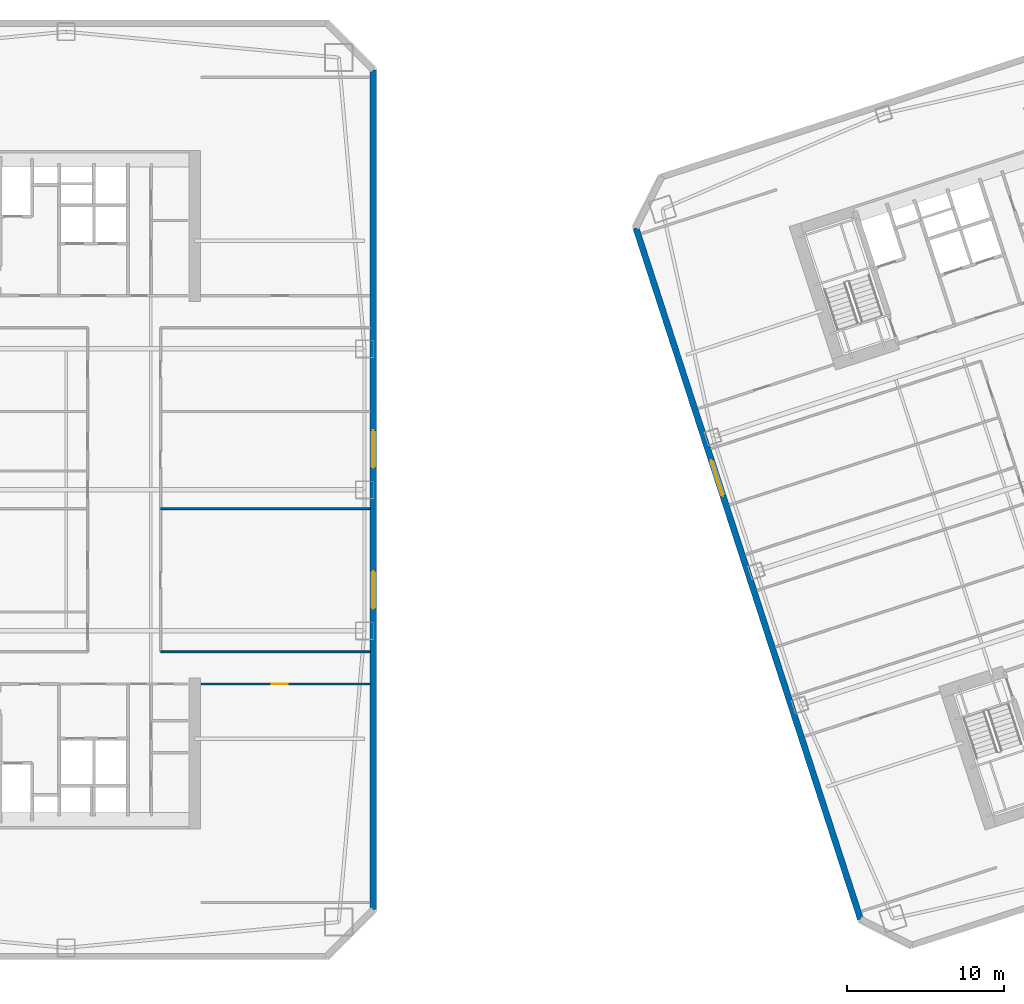
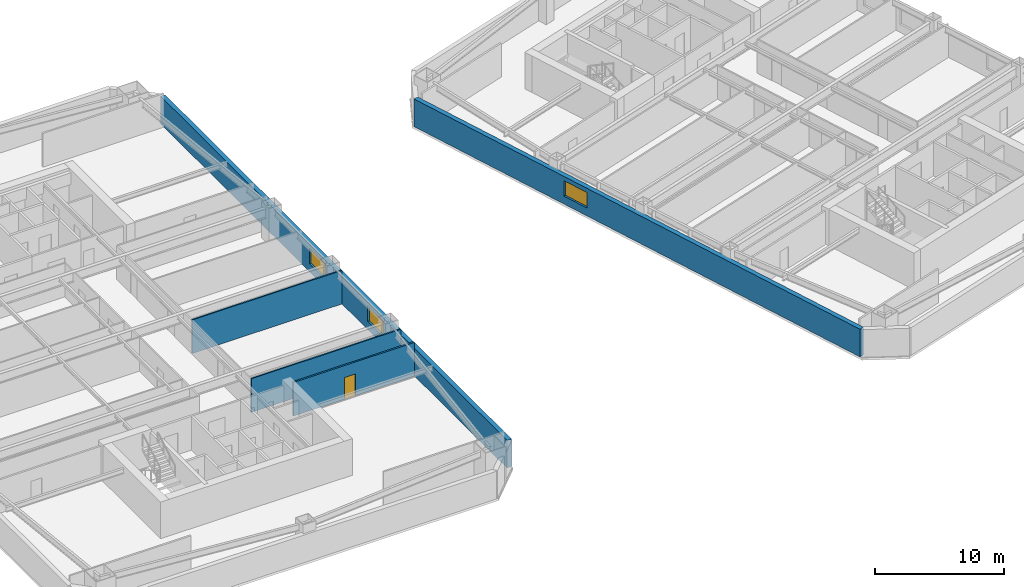
# One storey, part 6 of 13: 5 walls, 3 windows, 1 door, 4 openings.
"""IFC4 building model written with IfcOpenShell, lengths in metres."""

from ifc_helpers import new_model, si_unit, direction, frame, frame_2d, origin, place, context, subcontext, project, spatial, rectangle, extrude, material, layer, layer_set, type_object, element, fill, save


model = new_model("IFC4")

# Units and contexts
model_context = context("Model", 3, precision=1e-05, world=origin(), true_north=direction((0.0, 1.0)))
body_context = subcontext(model_context, "Body", "Model", "MODEL_VIEW")
ifc_project = project(units=[si_unit("LENGTHUNIT", "METRE"), si_unit("AREAUNIT", "SQUARE_METRE"), si_unit("VOLUMEUNIT", "CUBIC_METRE"), si_unit("PLANEANGLEUNIT", "RADIAN"), si_unit("MASSUNIT", "GRAM", prefix="KILO")], contexts=[model_context])

# Site, building, storey
site_placement = place(None, origin())
site = spatial("IfcSite", under=ifc_project, at=site_placement, CompositionType="ELEMENT")
building_placement = place(site_placement, origin())
building = spatial("IfcBuilding", under=site, at=building_placement, Name="Qiaolan Cultural Towers", CompositionType="ELEMENT")
storey_placement = place(building_placement, frame((0.0, 0.0, 85.10009765625)))
storey = spatial("IfcBuildingStorey", under=building, at=storey_placement, Name="L21", CompositionType="ELEMENT", Elevation=85.10009765625)

# Wall, openings, windows
ifc_material_1 = material(Name="Precast Concrete C50 Honed Stone Pier", Category="masonry")
ifc_layer_1 = layer(ifc_material_1, 0.39990234375)
ifc_layer_set_1 = layer_set([ifc_layer_1], Name="Precast Concrete C50 Honed Stone Pier")
wall_type_1 = type_object("IfcWallType", Name="WL-EXT-PIER-400", PredefinedType="SOLIDWALL", material=ifc_layer_set_1)
wall_1_placement = place(storey_placement, frame((49.60009765625, 60.800048828125, 0.0), z_axis=(0.0, 0.0, 1.0), x_axis=(0.0, -1.0, 0.0)))
wall_1 = element("IfcWall", 1, at=wall_1_placement, inside=storey, type_object=wall_type_1, Name="L21 West Tower Precast Pier Facade Wall F5", PredefinedType="SOLIDWALL", context=body_context, shape_type="SweptSolid", body=[
    extrude(rectangle(XDim=53.60009765625, YDim=0.39990234375, at=frame_2d((26.800048828125, 0.0))), origin(), (0.0, 0.0, 1.0), 2.60986328125),
])
opening_1_placement = place(wall_1_placement, frame((32.0, 0.0, 0.75)))
opening_1 = element("IfcOpeningElement", 2, at=opening_1_placement, cuts=wall_1, Name="Opening W-02", PredefinedType="OPENING", context=body_context, shape_type="SweptSolid", body=[
    extrude(rectangle(XDim=2.39990234375, YDim=1.4599609375, at=frame_2d((1.199951171875, 0.72998046875))), frame((0.0, 0.2099609375, 0.0), z_axis=(0.0, -1.0, 0.0), x_axis=(1.0, 0.0, 0.0)), (0.0, 0.0, 1.0), 0.419921875),
])
opening_2_placement = place(wall_1_placement, frame((23.0, 0.0, 0.75)))
opening_2 = element("IfcOpeningElement", 3, at=opening_2_placement, cuts=wall_1, Name="Opening W-02", PredefinedType="OPENING", context=body_context, shape_type="SweptSolid", body=[
    extrude(rectangle(XDim=2.39990234375, YDim=1.4599609375, at=frame_2d((1.199951171875, 0.72998046875))), frame((0.0, 0.2099609375, 0.0), z_axis=(0.0, -1.0, 0.0), x_axis=(1.0, 0.0, 0.0)), (0.0, 0.0, 1.0), 0.419921875),
])
ifc_material_2 = material(Name="Thermally Broken Aluminium Triple Low-E Glazing", Category="aluminium")
window_type = type_object("IfcWindowType", Name="WN-CHIC-2400", PartitioningType="SINGLE_PANEL", PredefinedType="WINDOW", material=ifc_material_2)
window_1_placement = place(opening_1_placement, origin())
window_1 = element("IfcWindow", 4, at=window_1_placement, inside=storey, type_object=window_type, Name="L21 T1 E Chicago Bay Window 1", OverallHeight=1.4599609375, OverallWidth=2.39990234375, PartitioningType="TRIPLE_PANEL_VERTICAL", PredefinedType="WINDOW", context=body_context, shape_type="SweptSolid", body=[
    extrude(rectangle(XDim=2.39990234375, YDim=1.4599609375, at=frame_2d((1.199951171875, 0.72998046875))), frame((0.0, 0.030029296875, 0.0), z_axis=(0.0, -1.0, 0.0), x_axis=(1.0, 0.0, 0.0)), (0.0, 0.0, 1.0), 0.06005859375),
])
fill(opening_1, window_1)
window_2_placement = place(opening_2_placement, origin())
window_2 = element("IfcWindow", 5, at=window_2_placement, inside=storey, type_object=window_type, Name="L21 T1 E Chicago Bay Window 2", OverallHeight=1.4599609375, OverallWidth=2.39990234375, PartitioningType="TRIPLE_PANEL_VERTICAL", PredefinedType="WINDOW", context=body_context, shape_type="SweptSolid", body=[
    extrude(rectangle(XDim=2.39990234375, YDim=1.4599609375, at=frame_2d((1.199951171875, 0.72998046875))), frame((0.0, 0.030029296875, 0.0), z_axis=(0.0, -1.0, 0.0), x_axis=(1.0, 0.0, 0.0)), (0.0, 0.0, 1.0), 0.06005859375),
])
fill(opening_2, window_2)

# Wall, opening, window
wall_2_placement = place(storey_placement, frame((80.7158203125, 6.589599609375, 0.0), z_axis=(0.0, 0.0, 1.0), x_axis=(-0.309017542002, 0.95105633836, 0.0)))
wall_2 = element("IfcWall", 6, at=wall_2_placement, inside=storey, type_object=wall_type_1, Name="L21 East Tower Precast Pier Facade Wall F1", PredefinedType="SOLIDWALL", context=body_context, shape_type="SweptSolid", body=[
    extrude(rectangle(XDim=46.39990234375, YDim=0.39990234375, at=frame_2d((23.199951171875, 0.0))), origin(), (0.0, 0.0, 1.0), 2.60986328125),
])
opening_3_placement = place(wall_2_placement, frame((28.39990234375, 0.0, 0.75)))
opening_3 = element("IfcOpeningElement", 7, at=opening_3_placement, cuts=wall_2, Name="Opening W-02", PredefinedType="OPENING", context=body_context, shape_type="SweptSolid", body=[
    extrude(rectangle(XDim=2.39990234375, YDim=1.4599609375, at=frame_2d((1.199951171875, 0.72998046875))), frame((0.0, 0.2099609375, 0.0), z_axis=(0.0, -1.0, 0.0), x_axis=(1.0, 0.0, 0.0)), (0.0, 0.0, 1.0), 0.419921875),
])
window_3_placement = place(opening_3_placement, origin())
window_3 = element("IfcWindow", 8, at=window_3_placement, inside=storey, type_object=window_type, Name="L21 T2 W Chicago Bay Window 1", OverallHeight=1.4599609375, OverallWidth=2.39990234375, PartitioningType="TRIPLE_PANEL_VERTICAL", PredefinedType="WINDOW", context=body_context, shape_type="SweptSolid", body=[
    extrude(rectangle(XDim=2.39990234375, YDim=1.4599609375, at=frame_2d((1.199951171875, 0.72998046875))), frame((0.0, 0.030029296875, 0.0), z_axis=(0.0, -1.0, 0.0), x_axis=(1.0, 0.0, 0.0)), (0.0, 0.0, 1.0), 0.06005859375),
])
fill(opening_3, window_3)

# Walls
ifc_material_3 = material(Name="Gypsum Stud Acoustic Partition", Category="gypsum")
ifc_layer_2 = layer(ifc_material_3, 0.1201171875)
ifc_layer_set_2 = layer_set([ifc_layer_2], Name="Gypsum Stud Acoustic Partition")
wall_type_2 = type_object("IfcWallType", Name="WL-PART-120", PredefinedType="PARTITIONING", material=ifc_layer_set_2)
for number, where, z_axis, x_axis, name in (
    (9, (36.02490234375, 23.64990234375, 0.0), (0.0, 0.0, 1.0), (1.0, 0.0, 0.0), "L21 T1 South Corridor Right Wall"),
    (10, (36.02490234375, 32.800048828125, 0.0), (0.0, 0.0, 1.0), (1.0, 0.0, 0.0), "L21 T1 East Partition 1"),
):
    element("IfcWall", number, at=place(storey_placement, frame(where, z_axis=z_axis, x_axis=x_axis)), inside=storey, type_object=wall_type_2, Name=name, PredefinedType="PARTITIONING", context=body_context, shape_type="SweptSolid", body=[
        extrude(rectangle(XDim=13.375, YDim=0.1201171875, at=frame_2d((6.6875, 0.0))), origin(), (0.0, 0.0, 1.0), 3.1748046875),
    ])

# Wall, opening, door
ifc_material_4 = material(Name="Autoclaved Aerated Concrete Block B06", Category="concrete")
ifc_layer_3 = layer(ifc_material_4, 0.14990234375)
ifc_layer_set_3 = layer_set([ifc_layer_3], Name="Autoclaved Aerated Concrete Block B06")
wall_type_3 = type_object("IfcWallType", Name="WL-PART-150", PredefinedType="PARTITIONING", material=ifc_layer_set_3)
wall_3_placement = place(storey_placement, frame((38.60009765625, 21.60009765625, 0.0), z_axis=(0.0, 0.0, 1.0), x_axis=(1.0, 0.0, 0.0)))
wall_3 = element("IfcWall", 11, at=wall_3_placement, inside=storey, type_object=wall_type_3, Name="L21 T1 Flank Front FLK-SE", PredefinedType="PARTITIONING", context=body_context, shape_type="SweptSolid", body=[
    extrude(rectangle(XDim=10.7998046875, YDim=0.14990234375, at=frame_2d((5.39990234375, 0.0))), origin(), (0.0, 0.0, 1.0), 3.1748046875),
])
opening_4_placement = place(wall_3_placement, frame((4.535888671875, 0.0, 0.0)))
opening_4 = element("IfcOpeningElement", 12, at=opening_4_placement, cuts=wall_3, Name="Opening ID-04", PredefinedType="OPENING", context=body_context, shape_type="SweptSolid", body=[
    extrude(rectangle(XDim=1.0, YDim=2.050048828125, at=frame_2d((0.5, 1.02490234375))), frame((0.0, 0.0849609375, 0.0), z_axis=(0.0, -1.0, 0.0), x_axis=(1.0, 0.0, 0.0)), (0.0, 0.0, 1.0), 0.169921875),
])
ifc_material_5 = material(Name="Oak Veneer Acoustic Office Door", Category="timber")
door_type = type_object("IfcDoorType", Name="DR-INT-1000", OperationType="NOTDEFINED", PredefinedType="DOOR", material=ifc_material_5)
door_placement = place(opening_4_placement, origin())
door = element("IfcDoor", 13, at=door_placement, inside=storey, type_object=door_type, Name="L21 T1 Corner Studio Door", OperationType="SINGLE_SWING_LEFT", OverallHeight=2.050048828125, OverallWidth=1.0, PredefinedType="DOOR", context=body_context, shape_type="SweptSolid", body=[
    extrude(rectangle(XDim=1.0, YDim=2.050048828125, at=frame_2d((0.5, 1.02490234375))), frame((0.0, 0.02490234375, 0.0), z_axis=(0.0, -1.0, 0.0), x_axis=(1.0, 0.0, 0.0)), (0.0, 0.0, 1.0), 0.050048828125),
])
fill(opening_4, door)

save(model, "model.ifc")
